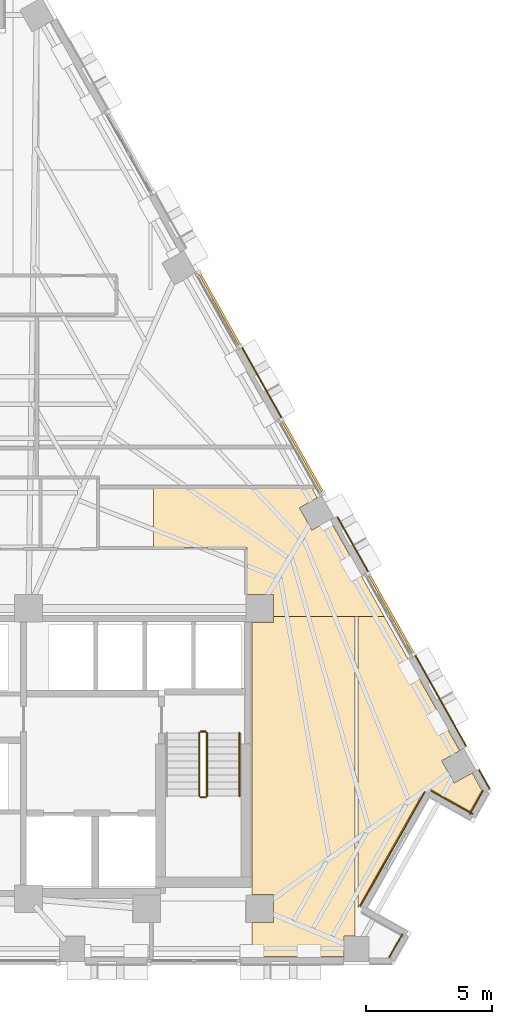
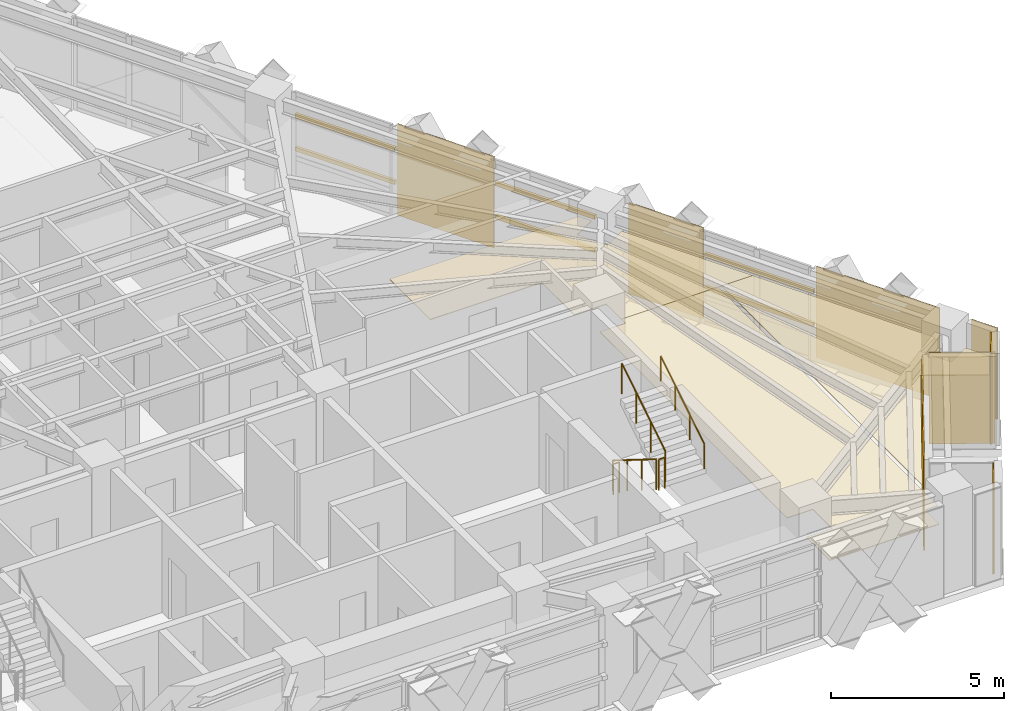
# One storey, part 13 of 14: 11 coverings, 6 shading devices, 5 railings.
"""IFC4 building model written with IfcOpenShell, lengths in metres."""

from ifc_helpers import new_model, si_unit, direction, frame, origin, origin_2d, place, context, subcontext, project, spatial, polyline, rectangle, circle, outline, extrude, material, layer, layer_set, material_profile, profile_set, type_object, element, save


model = new_model("IFC4")

# Units and contexts
model_context = context("Model", 3, precision=1e-05, world=origin(), true_north=direction((0.0, 1.0)))
body_context = subcontext(model_context, "Body", "Model", "MODEL_VIEW")
ifc_project = project(units=[si_unit("LENGTHUNIT", "METRE"), si_unit("AREAUNIT", "SQUARE_METRE"), si_unit("VOLUMEUNIT", "CUBIC_METRE"), si_unit("PLANEANGLEUNIT", "RADIAN"), si_unit("MASSUNIT", "GRAM", prefix="KILO")], contexts=[model_context])

# Site, building, storey
site_placement = place(None, origin())
site = spatial("IfcSite", under=ifc_project, at=site_placement, CompositionType="ELEMENT")
building_placement = place(site_placement, origin())
building = spatial("IfcBuilding", under=site, at=building_placement, Name="Quenlor Broadcast Tower", CompositionType="ELEMENT")
storey_placement = place(building_placement, frame((0.0, 0.0, 165.0)))
storey = spatial("IfcBuildingStorey", under=building, at=storey_placement, Name="L45", CompositionType="ELEMENT", Elevation=165.0)

# Coverings
ifc_material_1 = material(Name="Acoustic Mineral Fibre Board", Category="other")
ifc_layer_1 = layer(ifc_material_1, 0.02490234375)
ifc_layer_set_1 = layer_set([ifc_layer_1], Name="Acoustic Perforated Mineral Tile Ceiling 25")
covering_type_1 = type_object("IfcCoveringType", Name="Acoustic Perforated Mineral Tile Ceiling 25", PredefinedType="CEILING", material=ifc_layer_set_1)
covering_1_placement = place(storey_placement, frame((0.0, 0.0, 2.375)))
element("IfcCovering", 1, at=covering_1_placement, inside=storey, type_object=covering_type_1, Name="L45 Acoustic Ceiling L45-35", PredefinedType="CEILING", context=body_context, shape_type="SweptSolid", body=[
    extrude(outline(polyline([(13.508056640625, -4.241943359375), (12.43994140625, -4.241943359375), (12.43994140625, -2.3701171875), (8.71435546875, -2.3701171875), (8.71435546875, -0.016357421875), (15.031494140625, -0.016357421875), (15.2451171875, -0.39599609375), (14.5322265625, -0.797119140625), (15.0302734375, -1.6826171875), (15.7431640625, -1.281494140625), (17.90234375, -5.1201171875), (16.860107421875, -5.1201171875), (16.739990234375, -5.1201171875), (13.508056640625, -5.1201171875), (13.508056640625, -4.241943359375)])), origin(), (0.0, 0.0, 1.0), 0.02490234375),
])
covering_2_placement = place(storey_placement, frame((0.0, 0.0, 2.375)))
element("IfcCovering", 2, at=covering_2_placement, inside=storey, type_object=covering_type_1, Name="L45 Acoustic Ceiling L45-35-2", PredefinedType="CEILING", context=body_context, shape_type="SweptSolid", body=[
    extrude(outline(polyline([(13.508056640625, -5.1201171875), (16.739990234375, -5.1201171875), (16.739990234375, -17.842041015625), (16.30029296875, -17.842041015625), (16.30029296875, -18.659912109375), (12.64990234375, -18.659912109375), (12.64990234375, -17.30810546875), (13.508056640625, -17.30810546875), (13.508056640625, -16.19189453125), (12.64990234375, -16.19189453125), (12.64990234375, -5.35791015625), (13.508056640625, -5.35791015625), (13.508056640625, -5.1201171875)])), origin(), (0.0, 0.0, 1.0), 0.02490234375),
])
covering_3_placement = place(storey_placement, frame((0.0, 0.0, 2.375)))
element("IfcCovering", 3, at=covering_3_placement, inside=storey, type_object=covering_type_1, Name="L45 Acoustic Ceiling L45-35-3", PredefinedType="CEILING", context=body_context, shape_type="SweptSolid", body=[
    extrude(outline(polyline([(20.90869140625, -10.46484375), (20.19580078125, -10.86572265625), (20.694091796875, -11.751220703125), (21.406982421875, -11.350341796875), (21.794921875, -12.0400390625), (21.323486328125, -12.878173828125), (19.580322265625, -11.8974609375), (16.860107421875, -16.733642578125), (16.860107421875, -5.1201171875), (17.90234375, -5.1201171875), (20.90869140625, -10.46484375)])), origin(), (0.0, 0.0, 1.0), 0.02490234375),
])

# Shading devices
ifc_material_2 = material(Name="Architectural Terracotta Ceramic", Category="masonry")
ifc_material_profile = material_profile(ifc_material_2, rectangle(XDim=0.090087890625, YDim=0.139892578125, at=origin_2d()))
ifc_profile_set = profile_set([ifc_material_profile], Name="Architectural Terracotta Ceramic BAG90x140")
shading_device_type = type_object("IfcShadingDeviceType", Name="Copper Terracotta Baguette Solar Screen 140", PredefinedType="USERDEFINED", material=ifc_profile_set)
for number, where, z_axis, x_axis, name in (
    (4, (17.282958984375, -3.421142578125, 1.169921875), (0.490258076222, -0.871577316535, 0.0), (0.871577316535, 0.490258076222, 0.0), "L45 Terracotta Baguette Screen 1"),
    (5, (17.282958984375, -3.421142578125, 2.340087890625), (0.490258076222, -0.871577316535, 0.0), (0.871577316535, 0.490258076222, 0.0), "L45 Terracotta Baguette Screen 2"),
):
    element("IfcShadingDevice", number, at=place(storey_placement, frame(where, z_axis=z_axis, x_axis=x_axis)), inside=storey, type_object=shading_device_type, Name=name, ObjectType="BAGUETTE", PredefinedType="USERDEFINED", context=body_context, shape_type="SweptSolid", body=[
        extrude(rectangle(XDim=0.090087890625, YDim=0.139892578125, at=origin_2d()), origin(), (0.0, 0.0, 1.0), 3.6640625),
    ])
for number, where, z_axis, x_axis, name in (
    (6, (10.54052734375, 8.565185546875, 1.169921875), (0.490257780007, -0.871577483155, 0.0), (0.871577483155, 0.490257780007, 0.0), "L45 Terracotta Baguette Screen 1"),
    (7, (10.54052734375, 8.565185546875, 2.340087890625), (0.490257780007, -0.871577483155, 0.0), (0.871577483155, 0.490257780007, 0.0), "L45 Terracotta Baguette Screen 2"),
    (8, (13.8349609375, 2.708740234375, 1.169921875), (0.490288918116, -0.871559967399, 0.0), (0.871559967399, 0.490288918116, 0.0), "L45 Terracotta Baguette Screen 1"),
    (9, (13.8349609375, 2.708740234375, 2.340087890625), (0.490288918116, -0.871559967399, 0.0), (0.871559967399, 0.490288918116, 0.0), "L45 Terracotta Baguette Screen 2"),
):
    element("IfcShadingDevice", number, at=place(storey_placement, frame(where, z_axis=z_axis, x_axis=x_axis)), inside=storey, type_object=shading_device_type, Name=name, ObjectType="BAGUETTE", PredefinedType="USERDEFINED", context=body_context, shape_type="SweptSolid", body=[
        extrude(rectangle(XDim=0.090087890625, YDim=0.139892578125, at=origin_2d()), origin(), (0.0, 0.0, 1.0), 3.350341796875),
    ])

# Coverings
ifc_material_3 = material(Name="Architectural Terracotta Ceramic", Category="masonry")
ifc_layer_2 = layer(ifc_material_3, 0.044921875)
ifc_layer_set_2 = layer_set([ifc_layer_2], Name="Fluted Terracotta Rainscreen Cladding Panel")
covering_type_2 = type_object("IfcCoveringType", Name="Fluted Terracotta Rainscreen Cladding Panel", PredefinedType="CLADDING", material=ifc_layer_set_2)
covering_4_placement = place(storey_placement, frame((0.0, 0.0, 0.02001953125)))
element("IfcCovering", 10, at=covering_4_placement, inside=storey, type_object=covering_type_2, Name="L45 Terracotta Rainscreen Cladding L45-SHD-NES1", PredefinedType="CLADDING", context=body_context, shape_type="SweptSolid", body=[
    extrude(outline(polyline([(21.66162109375, -11.23779296875), (22.0859375, -11.992431640625), (22.125244140625, -11.970458984375), (21.70068359375, -11.2158203125), (21.66162109375, -11.23779296875)])), origin(), (0.0, 0.0, 1.0), 3.2099609375),
])
covering_5_placement = place(storey_placement, frame((0.0, 0.0, 0.02001953125)))
element("IfcCovering", 11, at=covering_5_placement, inside=storey, type_object=covering_type_2, Name="L45 Terracotta Rainscreen Cladding L45-NEC-SP1", PredefinedType="CLADDING", context=body_context, shape_type="SweptSolid", body=[
    extrude(outline(polyline([(16.025146484375, -1.1767578125), (17.254638671875, -3.362548828125), (17.2939453125, -3.340576171875), (16.064453125, -1.15478515625), (16.025146484375, -1.1767578125)])), origin(), (0.0, 0.0, 1.0), 3.2099609375),
])
covering_6_placement = place(storey_placement, frame((0.0, 0.0, 0.02001953125)))
element("IfcCovering", 12, at=covering_6_placement, inside=storey, type_object=covering_type_2, Name="L45 Terracotta Rainscreen Cladding L45-NEC-SP2", PredefinedType="CLADDING", context=body_context, shape_type="SweptSolid", body=[
    extrude(outline(polyline([(19.11474609375, -6.66943359375), (21.14453125, -10.278076171875), (21.183837890625, -10.256103515625), (19.154052734375, -6.6474609375), (19.11474609375, -6.66943359375)])), origin(), (0.0, 0.0, 1.0), 3.2099609375),
])
covering_7_placement = place(storey_placement, frame((0.0, 0.0, 0.02001953125)))
element("IfcCovering", 13, at=covering_7_placement, inside=storey, type_object=covering_type_2, Name="L45 Terracotta Rainscreen Cladding L45-NE-SP1", PredefinedType="CLADDING", context=body_context, shape_type="SweptSolid", body=[
    extrude(outline(polyline([(12.218505859375, 5.59033203125), (13.806396484375, 2.767333984375), (13.845703125, 2.789306640625), (12.2578125, 5.6123046875), (12.218505859375, 5.59033203125)])), origin(), (0.0, 0.0, 1.0), 3.2099609375),
])
covering_8_placement = place(storey_placement, frame((0.0, 0.0, 0.02001953125)))
element("IfcCovering", 14, at=covering_8_placement, inside=storey, type_object=covering_type_2, Name="L45 Terracotta Rainscreen Cladding L45-CNR-02", PredefinedType="CLADDING", context=body_context, shape_type="SweptSolid", body=[
    extrude(outline(polyline([(16.9775390625, -16.663330078125), (19.53662109375, -12.11376953125), (19.49755859375, -12.091796875), (16.938232421875, -16.641357421875), (16.9775390625, -16.663330078125)])), origin(), (0.0, 0.0, 1.0), 3.2099609375),
])
covering_9_placement = place(storey_placement, frame((0.0, 0.0, 0.02001953125)))
element("IfcCovering", 15, at=covering_9_placement, inside=storey, type_object=covering_type_2, Name="L45 Terracotta Rainscreen Cladding L45-CNR-03", PredefinedType="CLADDING", context=body_context, shape_type="SweptSolid", body=[
    extrude(outline(polyline([(19.764892578125, -12.079345703125), (21.4208984375, -13.010986328125), (21.443115234375, -12.9716796875), (19.787109375, -12.0400390625), (19.764892578125, -12.079345703125)])), origin(), (0.0, 0.0, 1.0), 3.2099609375),
])
covering_10_placement = place(storey_placement, frame((0.0, 0.0, 0.02001953125)))
element("IfcCovering", 16, at=covering_10_placement, inside=storey, type_object=covering_type_2, Name="L45 Terracotta Rainscreen Cladding L45-CNR-04", PredefinedType="CLADDING", context=body_context, shape_type="SweptSolid", body=[
    extrude(outline(polyline([(21.328857421875, -13.007080078125), (21.859619140625, -12.0634765625), (21.820556640625, -12.04150390625), (21.289794921875, -12.985107421875), (21.328857421875, -13.007080078125)])), origin(), (0.0, 0.0, 1.0), 3.2099609375),
])
covering_11_placement = place(storey_placement, frame((0.0, 0.0, 0.02001953125)))
element("IfcCovering", 17, at=covering_11_placement, inside=storey, type_object=covering_type_2, Name="L45 Terracotta Rainscreen Cladding L45-CNR-18", PredefinedType="CLADDING", context=body_context, shape_type="SweptSolid", body=[
    extrude(outline(polyline([(18.122802734375, -18.70654296875), (18.652099609375, -17.76611328125), (18.61279296875, -17.743896484375), (18.083740234375, -18.6845703125), (18.122802734375, -18.70654296875)])), origin(), (0.0, 0.0, 1.0), 3.2099609375),
])

# Railings
ifc_material_4 = material(Name="Anodised Aluminium", Category="aluminium")
railing_type_1 = type_object("IfcRailingType", Name="Stainless Aluminium Wall Handrail 900", PredefinedType="HANDRAIL", material=ifc_material_4)
railing_1_placement = place(storey_placement, frame((12.14990234375, -12.27001953125, 1.925048828125)))
element("IfcRailing", 18, at=railing_1_placement, inside=storey, type_object=railing_type_1, Name="L45 ST-2 stair handrail 2", PredefinedType="HANDRAIL", context=body_context, shape_type="SweptSolid", body=[
    extrude(circle(Radius=0.02392578125, at=origin_2d()), frame((0.0, 0.0, 0.8759765625), z_axis=(0.0, 0.848007534815, 0.529984170421), x_axis=(-1.0, 0.0, 0.0)), (0.0, 0.0, 1.0), 2.9716796875),
    extrude(circle(Radius=0.02099609375, at=origin_2d()), origin(), (0.0, 0.0, 1.0), 0.851806640625),
    extrude(circle(Radius=0.02099609375, at=origin_2d()), frame((0.0, 0.840087890625, 0.52490234375)), (0.0, 0.0, 1.0), 0.851806640625),
    extrude(circle(Radius=0.02099609375, at=origin_2d()), frame((0.0, 1.679931640625, 1.050048828125)), (0.0, 0.0, 1.0), 0.851806640625),
    extrude(circle(Radius=0.02099609375, at=origin_2d()), frame((0.0, 2.52001953125, 1.574951171875)), (0.0, 0.0, 1.0), 0.851806640625),
])
ifc_material_5 = material(Name="Steel S355", Category="steel")
railing_type_2 = type_object("IfcRailingType", Name="Tubular Steel S355 Stair Guardrail 1100", PredefinedType="BALUSTRADE", material=ifc_material_5)
railing_2_placement = place(storey_placement, frame((10.550048828125, -9.75, 0.175048828125)))
element("IfcRailing", 19, at=railing_2_placement, inside=storey, type_object=railing_type_2, Name="L45 ST-2 stair guard 1", PredefinedType="BALUSTRADE", context=body_context, shape_type="SweptSolid", body=[
    extrude(circle(Radius=0.02392578125, at=origin_2d()), frame((0.0, 0.0, 1.076171875), z_axis=(0.0, -0.848007534815, 0.529984170421), x_axis=(1.0, 0.0, 0.0)), (0.0, 0.0, 1.0), 2.9716796875),
    extrude(circle(Radius=0.02099609375, at=origin_2d()), origin(), (0.0, 0.0, 1.0), 1.052001953125),
    extrude(circle(Radius=0.02099609375, at=origin_2d()), frame((0.0, -0.840087890625, 0.52490234375)), (0.0, 0.0, 1.0), 1.052001953125),
    extrude(circle(Radius=0.02099609375, at=origin_2d()), frame((0.0, -1.679931640625, 1.050048828125)), (0.0, 0.0, 1.0), 1.052001953125),
    extrude(circle(Radius=0.02099609375, at=origin_2d()), frame((0.0, -2.52001953125, 1.574951171875)), (0.0, 0.0, 1.0), 1.052001953125),
])
railing_3_placement = place(storey_placement, frame((10.60009765625, -12.320068359375, 1.75)))
element("IfcRailing", 20, at=railing_3_placement, inside=storey, type_object=railing_type_2, Name="L45 ST-2 stair guard 2", PredefinedType="BALUSTRADE", context=body_context, shape_type="SweptSolid", body=[
    extrude(circle(Radius=0.02392578125, at=origin_2d()), frame((0.0, 0.0, 1.076171875), z_axis=(1.0, 0.0, 0.0), x_axis=(0.0, 1.0, 0.0)), (0.0, 0.0, 1.0), 0.199951171875),
    extrude(circle(Radius=0.02099609375, at=origin_2d()), origin(), (0.0, 0.0, 1.0), 1.052001953125),
    extrude(circle(Radius=0.02099609375, at=origin_2d()), frame((0.199951171875, 0.0, 0.0)), (0.0, 0.0, 1.0), 1.052001953125),
])
railing_4_placement = place(storey_placement, frame((10.85009765625, -12.27001953125, 1.925048828125)))
element("IfcRailing", 21, at=railing_4_placement, inside=storey, type_object=railing_type_2, Name="L45 ST-2 stair guard 3", PredefinedType="BALUSTRADE", context=body_context, shape_type="SweptSolid", body=[
    extrude(circle(Radius=0.02392578125, at=origin_2d()), frame((0.0, 0.0, 1.076171875), z_axis=(0.0, 0.848007534815, 0.529984170421), x_axis=(-1.0, 0.0, 0.0)), (0.0, 0.0, 1.0), 2.9716796875),
    extrude(circle(Radius=0.02099609375, at=origin_2d()), origin(), (0.0, 0.0, 1.0), 1.052001953125),
    extrude(circle(Radius=0.02099609375, at=origin_2d()), frame((0.0, 0.840087890625, 0.52490234375)), (0.0, 0.0, 1.0), 1.052001953125),
    extrude(circle(Radius=0.02099609375, at=origin_2d()), frame((0.0, 1.679931640625, 1.050048828125)), (0.0, 0.0, 1.0), 1.052001953125),
    extrude(circle(Radius=0.02099609375, at=origin_2d()), frame((0.0, 2.52001953125, 1.574951171875)), (0.0, 0.0, 1.0), 1.052001953125),
])
railing_5_placement = place(storey_placement, frame((10.60009765625, -9.699951171875, 0.0)))
element("IfcRailing", 22, at=railing_5_placement, inside=storey, type_object=railing_type_2, Name="L45 ST-2 stair guard 4", PredefinedType="BALUSTRADE", context=body_context, shape_type="SweptSolid", body=[
    extrude(circle(Radius=0.02392578125, at=origin_2d()), frame((0.0, 0.0, 1.076171875), z_axis=(1.0, 0.0, 0.0), x_axis=(0.0, 1.0, 0.0)), (0.0, 0.0, 1.0), 0.199951171875),
    extrude(circle(Radius=0.02099609375, at=origin_2d()), origin(), (0.0, 0.0, 1.0), 1.052001953125),
    extrude(circle(Radius=0.02099609375, at=origin_2d()), frame((0.199951171875, 0.0, 0.0)), (0.0, 0.0, 1.0), 1.052001953125),
])

save(model, "model.ifc")
